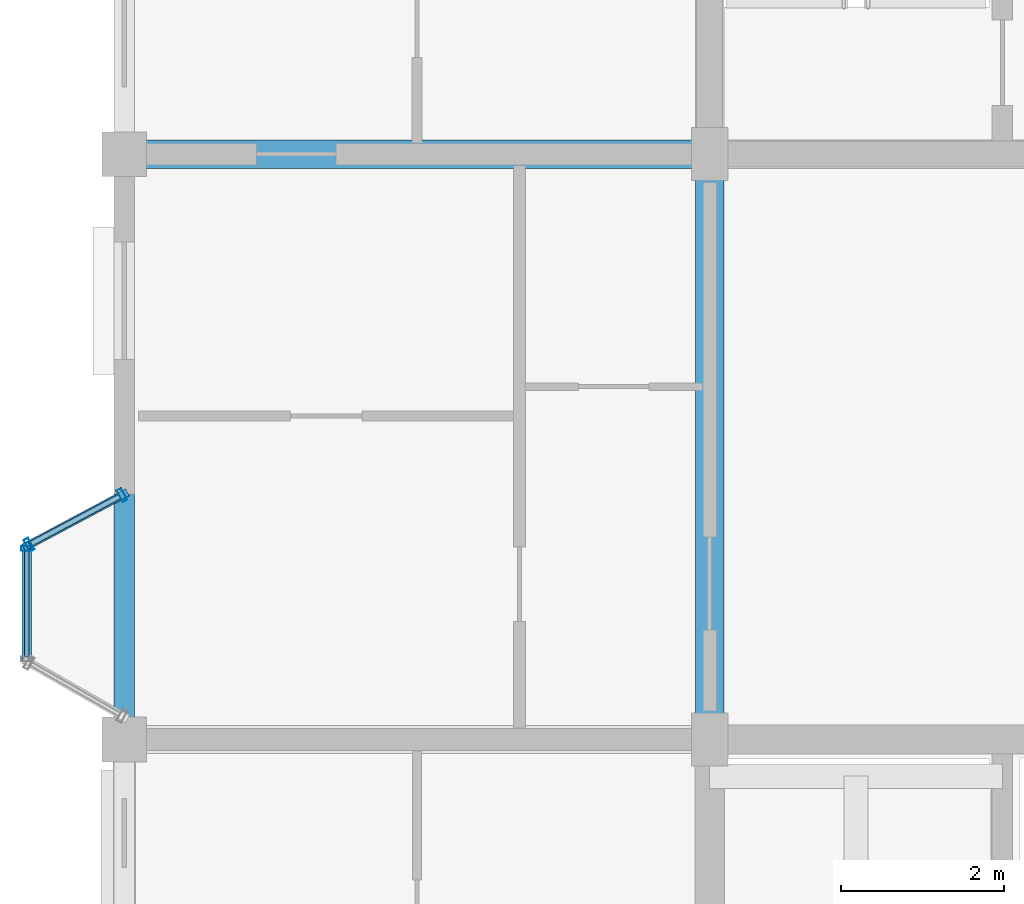
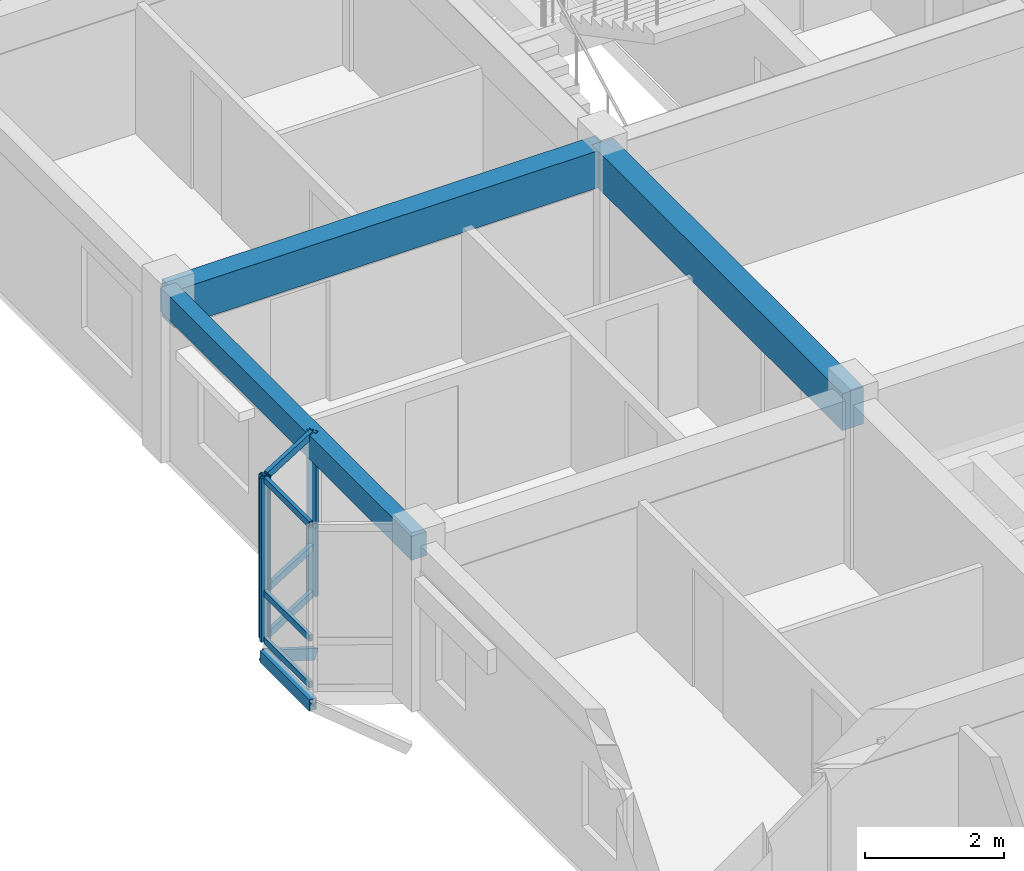
# One storey, part 9 of 77: 11 members, 3 beams, 2 elements without a shape of their own.
"""IFC4 building model written with IfcOpenShell, lengths in metres."""

from ifc_helpers import new_model, si_unit, direction, frame, origin, origin_2d, place, context, subcontext, project, spatial, rectangle, hollow_rectangle, extrude, material, layer, layer_set, material_profile, profile_set, type_object, element, aggregate, save


model = new_model("IFC4")

# Units and contexts
model_context = context("Model", 3, precision=1e-05, world=origin(), true_north=direction((0.0, 1.0)))
body_context = subcontext(model_context, "Body", "Model", "MODEL_VIEW")
ifc_project = project(units=[si_unit("LENGTHUNIT", "METRE"), si_unit("AREAUNIT", "SQUARE_METRE"), si_unit("VOLUMEUNIT", "CUBIC_METRE"), si_unit("PLANEANGLEUNIT", "RADIAN"), si_unit("MASSUNIT", "GRAM", prefix="KILO"), si_unit("THERMODYNAMICTEMPERATUREUNIT", "KELVIN"), si_unit("POWERUNIT", "WATT")], contexts=[model_context])

# Site, building, storey
site_placement = place(None, origin())
site = spatial("IfcSite", under=ifc_project, at=site_placement, CompositionType="ELEMENT")
building_placement = place(site_placement, origin())
building = spatial("IfcBuilding", under=site, at=building_placement, Name="Tavuni Mirador Residences", CompositionType="ELEMENT")
storey_placement = place(building_placement, frame((0.0, 0.0, 10.800048828125)))
storey = spatial("IfcBuildingStorey", under=building, at=storey_placement, Name="L03", CompositionType="ELEMENT", Elevation=10.800048828125)

# Beams
ifc_material_1 = material(Name="Precast concrete C40/50", Category="concrete")
ifc_material_profile_1 = material_profile(ifc_material_1, rectangle(XDim=0.35009765625, YDim=0.64990234375, at=origin_2d()), Name="PC 350x650", Category="concrete")
ifc_profile_set_1 = profile_set([ifc_material_profile_1], Name="Precast concrete C40/50")
beam_type_1 = type_object("IfcBeamType", Name="BT-B650", PredefinedType="BEAM", material=ifc_profile_set_1)
for number, where, z_axis, x_axis, name in (
    (1, (3.60009765625, 28.800048828125, 2.544921875), (1.0, 0.0, 0.0), (0.0, 1.0, 0.0), "BMX-BLK-A-L03-00-03"),
    (2, (10.800048828125, 21.60009765625, 2.544921875), (0.0, 1.0, 0.0), (-1.0, 0.0, 0.0), "BMY-BLK-A-L03-01-02"),
):
    element("IfcBeam", number, at=place(storey_placement, frame(where, z_axis=z_axis, x_axis=x_axis)), inside=storey, type_object=beam_type_1, Name=name, PredefinedType="BEAM", context=body_context, shape_type="SweptSolid", body=[
        extrude(rectangle(XDim=0.35009765625, YDim=0.64990234375, at=origin_2d()), origin(), (0.0, 0.0, 1.0), 7.199951171875),
    ])
ifc_material_profile_2 = material_profile(ifc_material_1, rectangle(XDim=0.25, YDim=0.419921875, at=origin_2d()), Name="PC 250x420", Category="concrete")
ifc_profile_set_2 = profile_set([ifc_material_profile_2], Name="Precast concrete C40/50")
beam_type_2 = type_object("IfcBeamType", Name="BT-SP420", PredefinedType="SPANDREL", material=ifc_profile_set_2)
beam_placement = place(storey_placement, frame((3.60009765625, 21.60009765625, 2.659912109375), z_axis=(0.0, 1.0, 0.0), x_axis=(-1.0, 0.0, 0.0)))
element("IfcBeam", 3, at=beam_placement, inside=storey, type_object=beam_type_2, Name="BMY-BLK-A-L03-00-02", PredefinedType="SPANDREL", context=body_context, shape_type="SweptSolid", body=[
    extrude(rectangle(XDim=0.25, YDim=0.419921875, at=origin_2d()), origin(), (0.0, 0.0, 1.0), 7.199951171875),
])

# Curtain wall, member
ifc_material_2 = material(Name="Anodised aluminium", Category="aluminium")
ifc_layer_1 = layer(ifc_material_2, 0.1650390625, Name="Anodised aluminium", Category="aluminium")
ifc_layer_set_1 = layer_set([ifc_layer_1], Name="Anodised aluminium")
curtain_wall_type_1 = type_object("IfcCurtainWallType", Name="CWT-MIR-A", PredefinedType="NOTDEFINED", material=ifc_layer_set_1)
curtain_wall_1_placement = place(storey_placement, origin())
curtain_wall_1 = element("IfcCurtainWall", 4, at=curtain_wall_1_placement, inside=storey, type_object=curtain_wall_type_1, Name="CW-MIR-A-W2-L03-MF", PredefinedType="NOTDEFINED")
ifc_material_profile_3 = material_profile(ifc_material_2, hollow_rectangle(XDim=0.06005859375, YDim=0.139892578125, WallThickness=0.00390625, at=origin_2d()), Name="ALU 60x140x4.0", Category="aluminium")
ifc_profile_set_3 = profile_set([ifc_material_profile_3], Name="Anodised aluminium")
member_type_1 = type_object("IfcMemberType", Name="CWM-140", PredefinedType="MULLION", material=ifc_profile_set_3)
member_1_placement = place(storey_placement, frame((2.39990234375, 23.949951171875, 0.0), z_axis=(0.0, 0.0, 1.0), x_axis=(0.0, -1.0, 0.0)))
member_1 = element("IfcMember", 5, at=member_1_placement, type_object=member_type_1, Name="CW-01 mullion 1", PredefinedType="MULLION", context=body_context, shape_type="SweptSolid", body=[
    extrude(hollow_rectangle(XDim=0.06005859375, YDim=0.139892578125, WallThickness=0.00390625, at=origin_2d()), origin(), (0.0, 0.0, 1.0), 2.869873046875),
])

# Curtain wall, members
ifc_layer_2 = layer(ifc_material_2, 0.159912109375, Name="Anodised aluminium", Category="aluminium")
ifc_layer_set_2 = layer_set([ifc_layer_2], Name="Anodised aluminium")
curtain_wall_type_2 = type_object("IfcCurtainWallType", Name="CWT-MIR-D", PredefinedType="NOTDEFINED", material=ifc_layer_set_2)
curtain_wall_2_placement = place(storey_placement, origin())
curtain_wall_2 = element("IfcCurtainWall", 6, at=curtain_wall_2_placement, inside=storey, type_object=curtain_wall_type_2, Name="CW-MIR-A-W2-L03-M1", PredefinedType="NOTDEFINED")
ifc_material_profile_4 = material_profile(ifc_material_2, hollow_rectangle(XDim=0.06494140625, YDim=0.1650390625, WallThickness=0.00439453125, at=origin_2d()), Name="ALU 65x165x4.5", Category="aluminium")
ifc_profile_set_4 = profile_set([ifc_material_profile_4], Name="Anodised aluminium")
member_type_2 = type_object("IfcMemberType", Name="CWM-165", PredefinedType="MULLION", material=ifc_profile_set_4)
member_2_placement = place(storey_placement, frame((3.5712890625, 24.604736328125, 0.0), z_axis=(0.0, 0.0, 1.0), x_axis=(-0.882352941175, -0.470588235296, 0.0)))
member_2 = element("IfcMember", 7, at=member_2_placement, type_object=member_type_2, Name="CW-04 mullion 1", PredefinedType="MULLION", context=body_context, shape_type="SweptSolid", body=[
    extrude(hollow_rectangle(XDim=0.06494140625, YDim=0.1650390625, WallThickness=0.00439453125, at=origin_2d()), origin(), (0.0, 0.0, 1.0), 2.869873046875),
])
member_3_placement = place(storey_placement, frame((2.4287109375, 23.995361328125, 0.0), z_axis=(0.0, 0.0, 1.0), x_axis=(-0.882352941175, -0.470588235296, 0.0)))
member_3 = element("IfcMember", 8, at=member_3_placement, type_object=member_type_2, Name="CW-04 mullion 2", PredefinedType="MULLION", context=body_context, shape_type="SweptSolid", body=[
    extrude(hollow_rectangle(XDim=0.06494140625, YDim=0.1650390625, WallThickness=0.00439453125, at=origin_2d()), origin(), (0.0, 0.0, 1.0), 2.869873046875),
])

# Member
ifc_material_profile_5 = material_profile(ifc_material_2, hollow_rectangle(XDim=0.06005859375, YDim=0.110107421875, WallThickness=0.00390625, at=origin_2d()), Name="ALU 60x110x4.0", Category="aluminium")
ifc_profile_set_5 = profile_set([ifc_material_profile_5], Name="Anodised aluminium")
member_type_3 = type_object("IfcMemberType", Name="CWT-110", PredefinedType="USERDEFINED", material=ifc_profile_set_5)
member_4_placement = place(storey_placement, frame((2.39990234375, 23.919921875, 0.030029296875), z_axis=(0.0, -1.0, 0.0), x_axis=(1.0, 0.0, 0.0)))
member_4 = element("IfcMember", 9, at=member_4_placement, type_object=member_type_3, Name="CW-01 transom 1.1", ObjectType="TRANSOM", PredefinedType="USERDEFINED", context=body_context, shape_type="SweptSolid", body=[
    extrude(hollow_rectangle(XDim=0.06005859375, YDim=0.110107421875, WallThickness=0.00390625, at=origin_2d()), origin(), (0.0, 0.0, 1.0), 1.2998046875),
])

member_5_placement = place(storey_placement, frame((2.39990234375, 23.919921875, 0.849853515625), z_axis=(0.0, -1.0, 0.0), x_axis=(1.0, 0.0, 0.0)))
member_5 = element("IfcMember", 10, at=member_5_placement, type_object=member_type_3, Name="CW-01 transom 1.2", ObjectType="TRANSOM", PredefinedType="USERDEFINED", context=body_context, shape_type="SweptSolid", body=[
    extrude(hollow_rectangle(XDim=0.06005859375, YDim=0.110107421875, WallThickness=0.00390625, at=origin_2d()), origin(), (0.0, 0.0, 1.0), 1.2998046875),
])

member_6_placement = place(storey_placement, frame((2.39990234375, 23.919921875, 2.83984375), z_axis=(0.0, -1.0, 0.0), x_axis=(1.0, 0.0, 0.0)))
member_6 = element("IfcMember", 11, at=member_6_placement, type_object=member_type_3, Name="CW-01 transom 1.3", ObjectType="TRANSOM", PredefinedType="USERDEFINED", context=body_context, shape_type="SweptSolid", body=[
    extrude(hollow_rectangle(XDim=0.06005859375, YDim=0.110107421875, WallThickness=0.00390625, at=origin_2d()), origin(), (0.0, 0.0, 1.0), 1.2998046875),
])

aggregate(curtain_wall_1, [member_1, member_4, member_5, member_6])

ifc_material_profile_6 = material_profile(ifc_material_2, hollow_rectangle(XDim=0.06494140625, YDim=0.125, WallThickness=0.00439453125, at=origin_2d()), Name="ALU 65x125x4.5", Category="aluminium")
ifc_profile_set_6 = profile_set([ifc_material_profile_6], Name="Anodised aluminium")
member_type_4 = type_object("IfcMemberType", Name="CWT-125", PredefinedType="USERDEFINED", material=ifc_profile_set_6)
member_7_placement = place(storey_placement, frame((3.542724609375, 24.58935546875, 0.032470703125), z_axis=(-0.882369422046, -0.47055733236, 0.0), x_axis=(0.47055733236, -0.882369422046, 0.0)))
member_7 = element("IfcMember", 12, at=member_7_placement, type_object=member_type_4, Name="CW-04 transom 1.1", ObjectType="TRANSOM", PredefinedType="USERDEFINED", context=body_context, shape_type="SweptSolid", body=[
    extrude(hollow_rectangle(XDim=0.06494140625, YDim=0.125, WallThickness=0.00439453125, at=origin_2d()), origin(), (0.0, 0.0, 1.0), 1.230224609375),
])

member_8_placement = place(storey_placement, frame((3.542724609375, 24.58935546875, 0.849853515625), z_axis=(-0.882369422046, -0.47055733236, 0.0), x_axis=(0.47055733236, -0.882369422046, 0.0)))
member_8 = element("IfcMember", 13, at=member_8_placement, type_object=member_type_4, Name="CW-04 transom 1.2", ObjectType="TRANSOM", PredefinedType="USERDEFINED", context=body_context, shape_type="SweptSolid", body=[
    extrude(hollow_rectangle(XDim=0.06494140625, YDim=0.125, WallThickness=0.00439453125, at=origin_2d()), origin(), (0.0, 0.0, 1.0), 1.230224609375),
])

member_9_placement = place(storey_placement, frame((3.542724609375, 24.58935546875, 2.83740234375), z_axis=(-0.882369422046, -0.47055733236, 0.0), x_axis=(0.47055733236, -0.882369422046, 0.0)))
member_9 = element("IfcMember", 14, at=member_9_placement, type_object=member_type_4, Name="CW-04 transom 1.3", ObjectType="TRANSOM", PredefinedType="USERDEFINED", context=body_context, shape_type="SweptSolid", body=[
    extrude(hollow_rectangle(XDim=0.06494140625, YDim=0.125, WallThickness=0.00439453125, at=origin_2d()), origin(), (0.0, 0.0, 1.0), 1.230224609375),
])

aggregate(curtain_wall_2, [member_2, member_3, member_7, member_8, member_9])

# Members
ifc_material_3 = material(Name="Structural steel S355", Category="steel")
ifc_material_profile_7 = material_profile(ifc_material_3, hollow_rectangle(XDim=0.10009765625, YDim=0.179931640625, WallThickness=0.008056640625, at=origin_2d()), Name="RHS 180x100x8.0", Category="steel")
ifc_profile_set_7 = profile_set([ifc_material_profile_7], Name="Structural steel S355")
member_type_5 = type_object("IfcMemberType", Name="MT-BR-RHS180", PredefinedType="BRACE", material=ifc_profile_set_7)
member_10_placement = place(storey_placement, frame((3.60009765625, 24.6201171875, -1.050048828125), z_axis=(-0.767847080655, -0.409539268811, 0.492634192918), x_axis=(0.470606866739, -0.882343004153, 0.0)))
element("IfcMember", 15, at=member_10_placement, inside=storey, type_object=member_type_5, Name="MBRK-MIR-A-W2-L03-2", PredefinedType="BRACE", context=body_context, shape_type="SweptSolid", body=[
    extrude(hollow_rectangle(XDim=0.10009765625, YDim=0.179931640625, WallThickness=0.008056640625, at=origin_2d()), origin(), (0.0, 0.0, 1.0), 1.56298828125),
])
ifc_material_profile_8 = material_profile(ifc_material_3, hollow_rectangle(XDim=0.1201171875, YDim=0.199951171875, WallThickness=0.010009765625, at=origin_2d()), Name="RHS 200x120x10.0", Category="steel")
ifc_profile_set_8 = profile_set([ifc_material_profile_8], Name="Structural steel S355")
member_type_6 = type_object("IfcMemberType", Name="MT-ST-RHS200", PredefinedType="STRUT", material=ifc_profile_set_8)
member_11_placement = place(storey_placement, frame((2.39990234375, 22.56005859375, -0.280029296875), z_axis=(0.0, 1.0, 0.0), x_axis=(-1.0, 0.0, 0.0)))
element("IfcMember", 16, at=member_11_placement, inside=storey, type_object=member_type_6, Name="MRIM-MIR-A-W2-L03", PredefinedType="STRUT", context=body_context, shape_type="SweptSolid", body=[
    extrude(hollow_rectangle(XDim=0.1201171875, YDim=0.199951171875, WallThickness=0.010009765625, at=origin_2d()), origin(), (0.0, 0.0, 1.0), 1.419921875),
])

save(model, "model.ifc")
